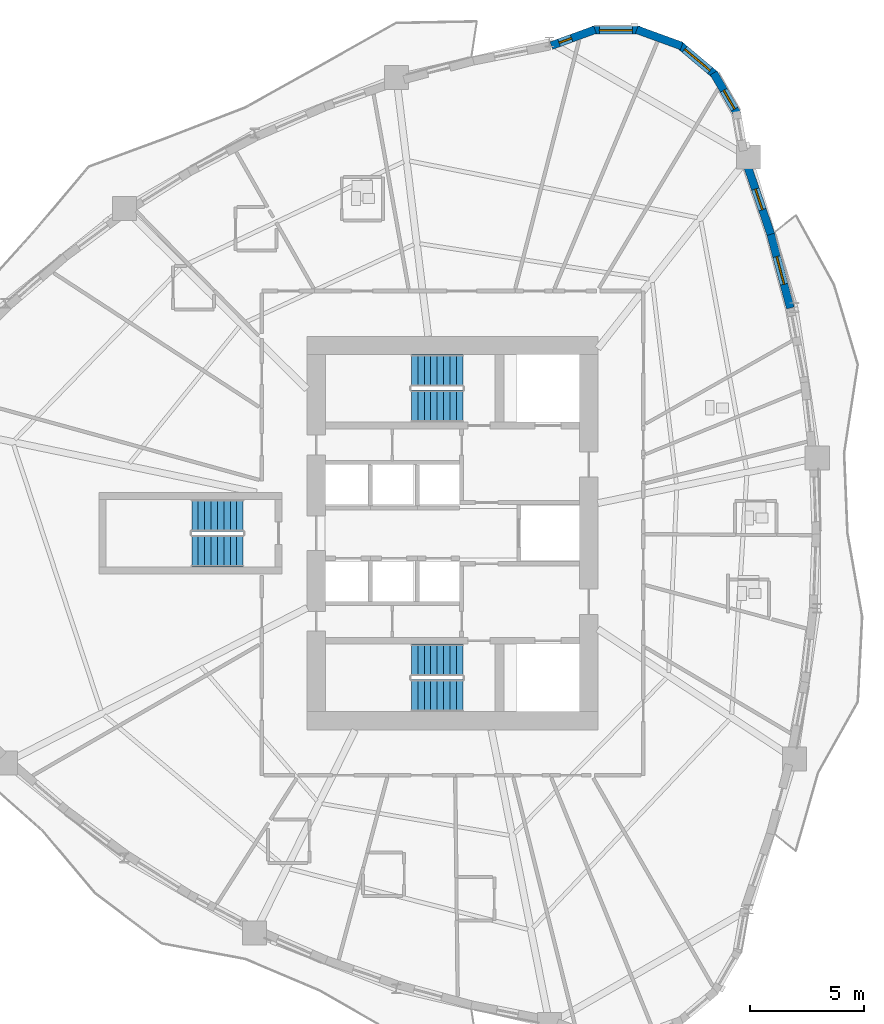
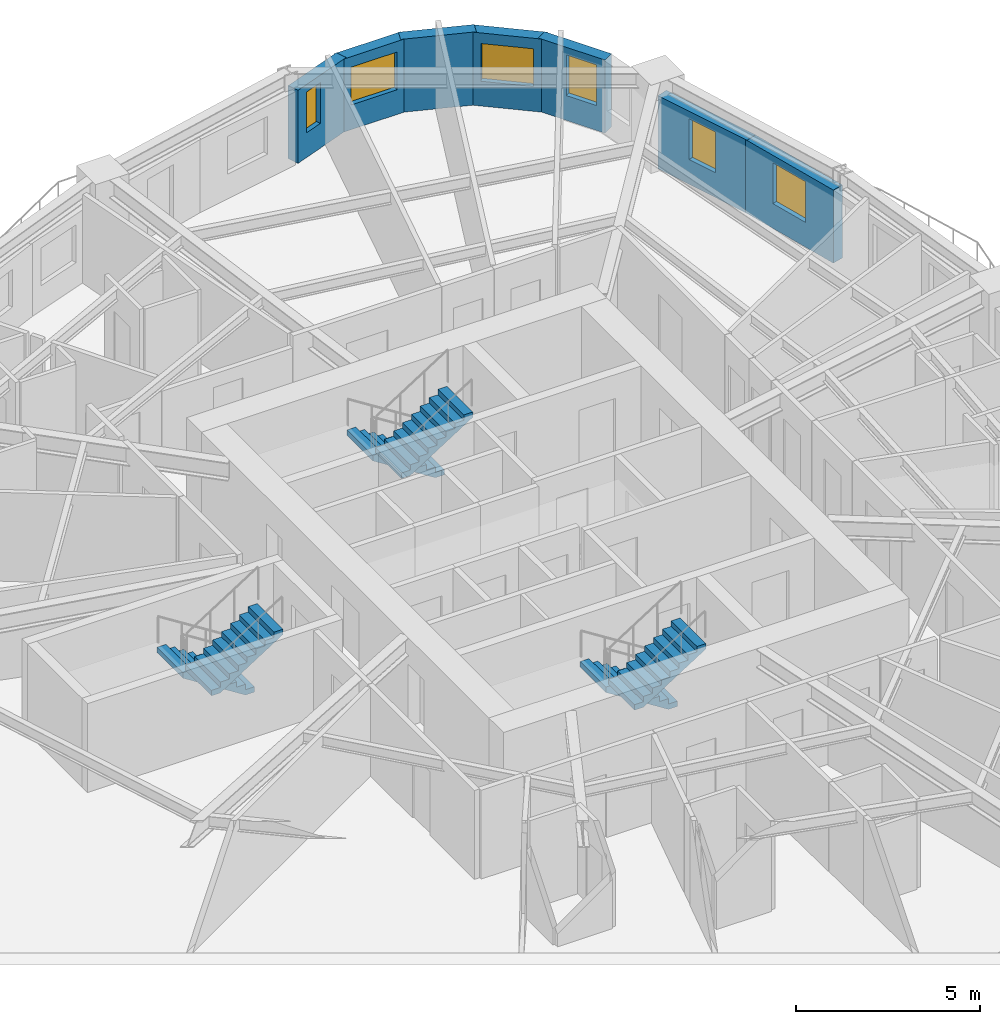
# One storey, part 9 of 13: 7 walls, 6 stair flights, 6 windows, 6 openings, 3 elements without a shape of their own.
"""IFC4 building model written with IfcOpenShell, lengths in metres."""

from ifc_helpers import new_model, si_unit, direction, frame, frame_2d, origin, place, context, subcontext, project, spatial, polyline, rectangle, outline, extrude, source, transform, mapped, material, layer, layer_set, type_object, element, fill, aggregate, save


model = new_model("IFC4")

# Units and contexts
model_context = context("Model", 3, precision=1e-05, world=origin(), true_north=direction((0.0, 1.0)))
body_context = subcontext(model_context, "Body", "Model", "MODEL_VIEW")
ifc_project = project(units=[si_unit("LENGTHUNIT", "METRE"), si_unit("AREAUNIT", "SQUARE_METRE"), si_unit("VOLUMEUNIT", "CUBIC_METRE"), si_unit("PLANEANGLEUNIT", "RADIAN"), si_unit("MASSUNIT", "GRAM", prefix="KILO")], contexts=[model_context])

# Site, building, storey
site_placement = place(None, origin())
site = spatial("IfcSite", under=ifc_project, at=site_placement, CompositionType="ELEMENT")
building_placement = place(site_placement, origin())
building = spatial("IfcBuilding", under=site, at=building_placement, Name="Qafzar Sky-Pleat Residences", CompositionType="ELEMENT")
storey_placement = place(building_placement, frame((0.0, 0.0, 52.60009765625)))
storey = spatial("IfcBuildingStorey", under=building, at=storey_placement, Name="L15", CompositionType="ELEMENT", Elevation=52.60009765625)

# Wall, opening, window
ifc_material_1 = material(Name="Precast concrete C40/50 with honed Riyadh limestone", Category="concrete")
ifc_layer = layer(ifc_material_1, 0.35009765625)
ifc_layer_set = layer_set([ifc_layer], Name="Precast concrete C40/50 with honed Riyadh limestone")
wall_type = type_object("IfcWallType", Name="WALL-EXT-350", PredefinedType="SOLIDWALL", material=ifc_layer_set)
wall_1_placement = place(storey_placement, frame((45.114501953125, 35.836669921875, 0.0), z_axis=(0.0, 0.0, 1.0), x_axis=(-0.257089380455, 0.966387629503, 0.0)))
wall_1 = element("IfcWall", 1, at=wall_1_placement, inside=storey, type_object=wall_type, Name="L15 Limestone Facade Wall 31", PredefinedType="SOLIDWALL", context=body_context, shape_type="SweptSolid", body=[
    extrude(rectangle(XDim=3.419677734375, YDim=0.35009765625, at=frame_2d((1.7099609375, 0.0))), origin(), (0.0, 0.0, 1.0), 2.419921875),
])
opening_1_placement = place(wall_1_placement, frame((1.074951171875, 0.0, 0.820068359375)))
opening_1 = element("IfcOpeningElement", 2, at=opening_1_placement, cuts=wall_1, Name="Opening WN-11", PredefinedType="OPENING", context=body_context, shape_type="SweptSolid", body=[
    extrude(rectangle(XDim=1.25, YDim=1.35009765625, at=frame_2d((0.625, 0.675048828125))), frame((0.0, 0.18505859375, 0.0), z_axis=(0.0, -1.0, 0.0), x_axis=(1.0, 0.0, 0.0)), (0.0, 0.0, 1.0), 0.3701171875),
])
ifc_material_2 = material(Name="Solar-control low-E glass in bronze aluminium frame", Category="glass")
window_type_1 = type_object("IfcWindowType", Name="WIN-11", PartitioningType="SINGLE_PANEL", PredefinedType="WINDOW", material=ifc_material_2)
shared_shape_1 = source(origin(), body_context, "Body", "SweptSolid", [
    extrude(rectangle(XDim=1.25, YDim=1.35009765625, at=frame_2d((0.625, 0.675048828125))), frame((0.0, 0.030029296875, 0.0), z_axis=(0.0, -1.0, 0.0), x_axis=(1.0, 0.0, 0.0)), (0.0, 0.0, 1.0), 0.06005859375),
])
window_1_placement = place(opening_1_placement, origin())
window_1 = element("IfcWindow", 3, at=window_1_placement, inside=storey, type_object=window_type_1, Name="L15 Punched Facade Window 31", OverallHeight=1.35009765625, OverallWidth=1.25, PartitioningType="SINGLE_PANEL", PredefinedType="WINDOW", context=body_context, shape_type="MappedRepresentation", body=[
    mapped(shared_shape_1, transform((0.0, 0.0, 0.0), x_axis=(1.0, 0.0, 0.0), y_axis=(0.0, 1.0, 0.0), z_axis=(0.0, 0.0, 1.0), scale=1.0)),
])
fill(opening_1, window_1)

wall_2_placement = place(storey_placement, frame((44.260986328125, 39.05712890625, 0.0), z_axis=(0.0, 0.0, 1.0), x_axis=(-0.323605317701, 0.946192157205, 0.0)))
wall_2 = element("IfcWall", 4, at=wall_2_placement, inside=storey, type_object=wall_type, Name="L15 Limestone Facade Wall 32", PredefinedType="SOLIDWALL", context=body_context, shape_type="SweptSolid", body=[
    extrude(rectangle(XDim=3.21240234375, YDim=0.35009765625, at=frame_2d((1.606201171875, 0.0))), origin(), (0.0, 0.0, 1.0), 2.419921875),
])
opening_2_placement = place(wall_2_placement, frame((1.13623046875, 0.0, 0.820068359375)))
opening_2 = element("IfcOpeningElement", 5, at=opening_2_placement, cuts=wall_2, Name="Opening WN-12", PredefinedType="OPENING", context=body_context, shape_type="SweptSolid", body=[
    extrude(rectangle(XDim=0.949951171875, YDim=1.35009765625, at=frame_2d((0.47509765625, 0.675048828125))), frame((0.0, 0.18505859375, 0.0), z_axis=(0.0, -1.0, 0.0), x_axis=(1.0, 0.0, 0.0)), (0.0, 0.0, 1.0), 0.3701171875),
])
window_type_2 = type_object("IfcWindowType", Name="WIN-12", PartitioningType="SINGLE_PANEL", PredefinedType="WINDOW", material=ifc_material_2)
shared_shape_2 = source(origin(), body_context, "Body", "SweptSolid", [
    extrude(rectangle(XDim=0.949951171875, YDim=1.35009765625, at=frame_2d((0.47509765625, 0.675048828125))), frame((0.0, 0.030029296875, 0.0), z_axis=(0.0, -1.0, 0.0), x_axis=(1.0, 0.0, 0.0)), (0.0, 0.0, 1.0), 0.06005859375),
])
window_2_placement = place(opening_2_placement, origin())
window_2 = element("IfcWindow", 6, at=window_2_placement, inside=storey, type_object=window_type_2, Name="L15 Punched Facade Window 32", OverallHeight=1.35009765625, OverallWidth=0.949951171875, PartitioningType="SINGLE_PANEL", PredefinedType="WINDOW", context=body_context, shape_type="MappedRepresentation", body=[
    mapped(shared_shape_2, transform((0.0, 0.0, 0.0), x_axis=(1.0, 0.0, 0.0), y_axis=(0.0, 1.0, 0.0), z_axis=(0.0, 0.0, 1.0), scale=1.0)),
])
fill(opening_2, window_2)

wall_3_placement = place(storey_placement, frame((42.8076171875, 44.300537109375, 0.0), z_axis=(0.0, 0.0, 1.0), x_axis=(-0.500046000743, 0.865998843614, 0.0)))
wall_3 = element("IfcWall", 7, at=wall_3_placement, inside=storey, type_object=wall_type, Name="L15 Limestone Facade Wall 34", PredefinedType="SOLIDWALL", context=body_context, shape_type="SweptSolid", body=[
    extrude(rectangle(XDim=2.090087890625, YDim=0.35009765625, at=frame_2d((1.044921875, 0.0))), origin(), (0.0, 0.0, 1.0), 2.419921875),
])
opening_3_placement = place(wall_3_placement, frame((0.262939453125, 0.0, 0.820068359375)))
opening_3 = element("IfcOpeningElement", 8, at=opening_3_placement, cuts=wall_3, Name="Opening WN-12", PredefinedType="OPENING", context=body_context, shape_type="SweptSolid", body=[
    extrude(rectangle(XDim=0.949951171875, YDim=1.35009765625, at=frame_2d((0.47509765625, 0.675048828125))), frame((0.0, 0.18505859375, 0.0), z_axis=(0.0, -1.0, 0.0), x_axis=(1.0, 0.0, 0.0)), (0.0, 0.0, 1.0), 0.3701171875),
])
window_3_placement = place(opening_3_placement, origin())
window_3 = element("IfcWindow", 9, at=window_3_placement, inside=storey, type_object=window_type_2, Name="L15 Punched Facade Window 34", OverallHeight=1.35009765625, OverallWidth=0.949951171875, PartitioningType="SINGLE_PANEL", PredefinedType="WINDOW", context=body_context, shape_type="MappedRepresentation", body=[
    mapped(shared_shape_2, transform((0.0, 0.0, 0.0), x_axis=(1.0, 0.0, 0.0), y_axis=(0.0, 1.0, 0.0), z_axis=(0.0, 0.0, 1.0), scale=1.0)),
])
fill(opening_3, window_3)

wall_4_placement = place(storey_placement, frame((41.849609375, 46.0068359375, 0.0), z_axis=(0.0, 0.0, 1.0), x_axis=(-0.766024572719, 0.642811289563, 0.0)))
wall_4 = element("IfcWall", 10, at=wall_4_placement, inside=storey, type_object=wall_type, Name="L15 Limestone Facade Wall 35", PredefinedType="SOLIDWALL", context=body_context, shape_type="SweptSolid", body=[
    extrude(rectangle(XDim=2.09033203125, YDim=0.35009765625, at=frame_2d((1.045166015625, 0.0))), origin(), (0.0, 0.0, 1.0), 2.419921875),
])
opening_4_placement = place(wall_4_placement, frame((0.3203125, 0.0, 0.820068359375)))
opening_4 = element("IfcOpeningElement", 11, at=opening_4_placement, cuts=wall_4, Name="Opening WN-15", PredefinedType="OPENING", context=body_context, shape_type="SweptSolid", body=[
    extrude(rectangle(XDim=1.449951171875, YDim=1.25, at=frame_2d((0.72509765625, 0.625))), frame((0.0, 0.18505859375, 0.0), z_axis=(0.0, -1.0, 0.0), x_axis=(1.0, 0.0, 0.0)), (0.0, 0.0, 1.0), 0.3701171875),
])
window_type_3 = type_object("IfcWindowType", Name="WIN-15", PartitioningType="SINGLE_PANEL", PredefinedType="WINDOW", material=ifc_material_2)
shared_shape_3 = source(origin(), body_context, "Body", "SweptSolid", [
    extrude(rectangle(XDim=1.449951171875, YDim=1.25, at=frame_2d((0.72509765625, 0.625))), frame((0.0, 0.030029296875, 0.0), z_axis=(0.0, -1.0, 0.0), x_axis=(1.0, 0.0, 0.0)), (0.0, 0.0, 1.0), 0.06005859375),
])
window_4_placement = place(opening_4_placement, origin())
window_4 = element("IfcWindow", 12, at=window_4_placement, inside=storey, type_object=window_type_3, Name="L15 Punched Facade Window 35", OverallHeight=1.25, OverallWidth=1.449951171875, PartitioningType="SINGLE_PANEL", PredefinedType="WINDOW", context=body_context, shape_type="MappedRepresentation", body=[
    mapped(shared_shape_3, transform((0.0, 0.0, 0.0), x_axis=(1.0, 0.0, 0.0), y_axis=(0.0, 1.0, 0.0), z_axis=(0.0, 0.0, 1.0), scale=1.0)),
])
fill(opening_4, window_4)

# Wall
wall_5_placement = place(storey_placement, frame((40.365966796875, 47.28271484375, 0.0), z_axis=(0.0, 0.0, 1.0), x_axis=(-0.939711556618, 0.341968113072, 0.0)))
element("IfcWall", 13, at=wall_5_placement, inside=storey, type_object=wall_type, Name="L15 Limestone Facade Wall 36", PredefinedType="SOLIDWALL", context=body_context, shape_type="SweptSolid", body=[
    extrude(rectangle(XDim=2.09033203125, YDim=0.35009765625, at=frame_2d((1.045166015625, 0.0))), origin(), (0.0, 0.0, 1.0), 2.419921875),
])

# Wall, opening, window
wall_6_placement = place(storey_placement, frame((38.53515625, 47.97412109375, 0.0), z_axis=(0.0, 0.0, 1.0), x_axis=(-1.0, 0.0, 0.0)))
wall_6 = element("IfcWall", 14, at=wall_6_placement, inside=storey, type_object=wall_type, Name="L15 Limestone Facade Wall 37", PredefinedType="SOLIDWALL", context=body_context, shape_type="SweptSolid", body=[
    extrude(rectangle(XDim=2.09033203125, YDim=0.35009765625, at=frame_2d((1.045166015625, 0.0))), origin(), (0.0, 0.0, 1.0), 2.419921875),
])
opening_5_placement = place(wall_6_placement, frame((0.3203125, 0.0, 0.820068359375)))
opening_5 = element("IfcOpeningElement", 15, at=opening_5_placement, cuts=wall_6, Name="Opening WN-15", PredefinedType="OPENING", context=body_context, shape_type="SweptSolid", body=[
    extrude(rectangle(XDim=1.449951171875, YDim=1.25, at=frame_2d((0.72509765625, 0.625))), frame((0.0, 0.18505859375, 0.0), z_axis=(0.0, -1.0, 0.0), x_axis=(1.0, 0.0, 0.0)), (0.0, 0.0, 1.0), 0.3701171875),
])
window_5_placement = place(opening_5_placement, origin())
window_5 = element("IfcWindow", 16, at=window_5_placement, inside=storey, type_object=window_type_3, Name="L15 Punched Facade Window 37", OverallHeight=1.25, OverallWidth=1.449951171875, PartitioningType="SINGLE_PANEL", PredefinedType="WINDOW", context=body_context, shape_type="MappedRepresentation", body=[
    mapped(shared_shape_3, transform((0.0, 0.0, 0.0), x_axis=(1.0, 0.0, 0.0), y_axis=(0.0, 1.0, 0.0), z_axis=(0.0, 0.0, 1.0), scale=1.0)),
])
fill(opening_5, window_5)

wall_7_placement = place(storey_placement, frame((36.578369140625, 47.99755859375, 0.0), z_axis=(0.0, 0.0, 1.0), x_axis=(-0.939691662178, -0.342022777067, 0.0)))
wall_7 = element("IfcWall", 17, at=wall_7_placement, inside=storey, type_object=wall_type, Name="L15 Limestone Facade Wall 38", PredefinedType="SOLIDWALL", context=body_context, shape_type="SweptSolid", body=[
    extrude(rectangle(XDim=2.0322265625, YDim=0.35009765625, at=frame_2d((1.01611328125, 0.0))), origin(), (0.0, 0.0, 1.0), 2.419921875),
])
opening_6_placement = place(wall_7_placement, frame((1.09130859375, 0.0, 0.820068359375)))
opening_6 = element("IfcOpeningElement", 18, at=opening_6_placement, cuts=wall_7, Name="Opening WN-17", PredefinedType="OPENING", context=body_context, shape_type="SweptSolid", body=[
    extrude(rectangle(XDim=0.580078125, YDim=1.35009765625, at=frame_2d((0.2900390625, 0.675048828125))), frame((0.0, 0.18505859375, 0.0), z_axis=(0.0, -1.0, 0.0), x_axis=(1.0, 0.0, 0.0)), (0.0, 0.0, 1.0), 0.3701171875),
])
window_type_4 = type_object("IfcWindowType", Name="WIN-17", PartitioningType="SINGLE_PANEL", PredefinedType="WINDOW", material=ifc_material_2)
shared_shape_4 = source(origin(), body_context, "Body", "SweptSolid", [
    extrude(rectangle(XDim=0.580078125, YDim=1.35009765625, at=frame_2d((0.2900390625, 0.675048828125))), frame((0.0, 0.030029296875, 0.0), z_axis=(0.0, -1.0, 0.0), x_axis=(1.0, 0.0, 0.0)), (0.0, 0.0, 1.0), 0.06005859375),
])
window_6_placement = place(opening_6_placement, origin())
window_6 = element("IfcWindow", 19, at=window_6_placement, inside=storey, type_object=window_type_4, Name="L15 Punched Facade Window 38-2", OverallHeight=1.35009765625, OverallWidth=0.580078125, PartitioningType="SINGLE_PANEL", PredefinedType="WINDOW", context=body_context, shape_type="MappedRepresentation", body=[
    mapped(shared_shape_4, transform((0.0, 0.0, 0.0), x_axis=(1.0, 0.0, 0.0), y_axis=(0.0, 1.0, 0.0), z_axis=(0.0, 0.0, 1.0), scale=1.0)),
])
fill(opening_6, window_6)

# Stair, stair flights
ifc_material_3 = material(Name="Concrete C40/50", Category="concrete")
stair_type = type_object("IfcStairType", Name="STAIR-H320", PredefinedType="HALF_TURN_STAIR", material=ifc_material_3)
stair_1_placement = place(storey_placement, origin())
stair_1 = element("IfcStair", 20, at=stair_1_placement, inside=storey, type_object=stair_type, Name="L15 Protected Exit Stair ST1", PredefinedType="HALF_TURN_STAIR")
stair_flight_type = type_object("IfcStairFlightType", Name="FLIGHT-H320", PredefinedType="STRAIGHT", material=ifc_material_3)
shared_shape_5 = source(origin(), body_context, "Body", "SweptSolid", [
    extrude(outline(polyline([(0.0, 0.0), (0.0, 0.177734375), (0.280029296875, 0.177734375), (0.280029296875, 0.35546875), (0.56005859375, 0.35546875), (0.56005859375, 0.533447265625), (0.840087890625, 0.533447265625), (0.840087890625, 0.711181640625), (1.1201171875, 0.711181640625), (1.1201171875, 0.888916015625), (1.39990234375, 0.888916015625), (1.39990234375, 1.066650390625), (1.679931640625, 1.066650390625), (1.679931640625, 1.244384765625), (1.9599609375, 1.244384765625), (1.9599609375, 1.422119140625), (2.239990234375, 1.422119140625), (2.239990234375, 1.60009765625), (2.239990234375, 1.24462890625), (0.27978515625, 0.0), (0.0, 0.0)])), frame((0.0, 0.699951171875, 0.0), z_axis=(0.0, -1.0, 0.0), x_axis=(1.0, 0.0, 0.0)), (0.0, 0.0, 1.0), 1.39990234375),
])
stair_flight_1_placement = place(storey_placement, frame((30.800048828125, 20.449951171875, 0.0), z_axis=(0.0, 0.0, 1.0), x_axis=(-1.0, 0.0, 0.0)))
stair_flight_1 = element("IfcStairFlight", 21, at=stair_flight_1_placement, type_object=stair_flight_type, Name="ST1 flight 1", NumberOfRisers=9, NumberOfTreads=8, PredefinedType="STRAIGHT", RiserHeight=0.177777778, TreadLength=0.28, context=body_context, shape_type="MappedRepresentation", body=[
    mapped(shared_shape_5, transform((0.0, 0.0, 0.0), x_axis=(1.0, 0.0, 0.0), y_axis=(0.0, 1.0, 0.0), z_axis=(0.0, 0.0, 1.0), scale=1.0)),
])
stair_flight_2_placement = place(storey_placement, frame((28.56005859375, 18.89990234375, 1.599853515625), z_axis=(0.0, 0.0, 1.0), x_axis=(1.0, 0.0, 0.0)))
stair_flight_2 = element("IfcStairFlight", 22, at=stair_flight_2_placement, type_object=stair_flight_type, Name="ST1 flight 2", NumberOfRisers=9, NumberOfTreads=8, PredefinedType="STRAIGHT", RiserHeight=0.177777778, TreadLength=0.28, context=body_context, shape_type="MappedRepresentation", body=[
    mapped(shared_shape_5, transform((0.0, 0.0, 0.0), x_axis=(1.0, 0.0, 0.0), y_axis=(0.0, 1.0, 0.0), z_axis=(0.0, 0.0, 1.0), scale=1.0)),
])
aggregate(stair_1, [stair_flight_1, stair_flight_2])

stair_2_placement = place(storey_placement, origin())
stair_2 = element("IfcStair", 23, at=stair_2_placement, inside=storey, type_object=stair_type, Name="L15 Protected Exit Stair ST2", PredefinedType="HALF_TURN_STAIR")
stair_flight_3_placement = place(storey_placement, frame((30.800048828125, 33.10009765625, 0.0), z_axis=(0.0, 0.0, 1.0), x_axis=(-1.0, 0.0, 0.0)))
stair_flight_3 = element("IfcStairFlight", 24, at=stair_flight_3_placement, type_object=stair_flight_type, Name="ST2 flight 1", NumberOfRisers=9, NumberOfTreads=8, PredefinedType="STRAIGHT", RiserHeight=0.177777778, TreadLength=0.28, context=body_context, shape_type="MappedRepresentation", body=[
    mapped(shared_shape_5, transform((0.0, 0.0, 0.0), x_axis=(1.0, 0.0, 0.0), y_axis=(0.0, 1.0, 0.0), z_axis=(0.0, 0.0, 1.0), scale=1.0)),
])
stair_flight_4_placement = place(storey_placement, frame((28.56005859375, 31.550048828125, 1.599853515625), z_axis=(0.0, 0.0, 1.0), x_axis=(1.0, 0.0, 0.0)))
stair_flight_4 = element("IfcStairFlight", 25, at=stair_flight_4_placement, type_object=stair_flight_type, Name="ST2 flight 2", NumberOfRisers=9, NumberOfTreads=8, PredefinedType="STRAIGHT", RiserHeight=0.177777778, TreadLength=0.28, context=body_context, shape_type="MappedRepresentation", body=[
    mapped(shared_shape_5, transform((0.0, 0.0, 0.0), x_axis=(1.0, 0.0, 0.0), y_axis=(0.0, 1.0, 0.0), z_axis=(0.0, 0.0, 1.0), scale=1.0)),
])
aggregate(stair_2, [stair_flight_3, stair_flight_4])

stair_3_placement = place(storey_placement, origin())
stair_3 = element("IfcStair", 26, at=stair_3_placement, inside=storey, type_object=stair_type, Name="L15 Protected Exit Stair ST3", PredefinedType="HALF_TURN_STAIR")
stair_flight_5_placement = place(storey_placement, frame((21.199951171875, 26.77490234375, 0.0), z_axis=(0.0, 0.0, 1.0), x_axis=(-1.0, 0.0, 0.0)))
stair_flight_5 = element("IfcStairFlight", 27, at=stair_flight_5_placement, type_object=stair_flight_type, Name="ST3 flight 1", NumberOfRisers=9, NumberOfTreads=8, PredefinedType="STRAIGHT", RiserHeight=0.177777778, TreadLength=0.28, context=body_context, shape_type="MappedRepresentation", body=[
    mapped(shared_shape_5, transform((0.0, 0.0, 0.0), x_axis=(1.0, 0.0, 0.0), y_axis=(0.0, 1.0, 0.0), z_axis=(0.0, 0.0, 1.0), scale=1.0)),
])
stair_flight_6_placement = place(storey_placement, frame((18.9599609375, 25.22509765625, 1.599853515625), z_axis=(0.0, 0.0, 1.0), x_axis=(1.0, 0.0, 0.0)))
stair_flight_6 = element("IfcStairFlight", 28, at=stair_flight_6_placement, type_object=stair_flight_type, Name="ST3 flight 2", NumberOfRisers=9, NumberOfTreads=8, PredefinedType="STRAIGHT", RiserHeight=0.177777778, TreadLength=0.28, context=body_context, shape_type="MappedRepresentation", body=[
    mapped(shared_shape_5, transform((0.0, 0.0, 0.0), x_axis=(1.0, 0.0, 0.0), y_axis=(0.0, 1.0, 0.0), z_axis=(0.0, 0.0, 1.0), scale=1.0)),
])
aggregate(stair_3, [stair_flight_5, stair_flight_6])

save(model, "model.ifc")
